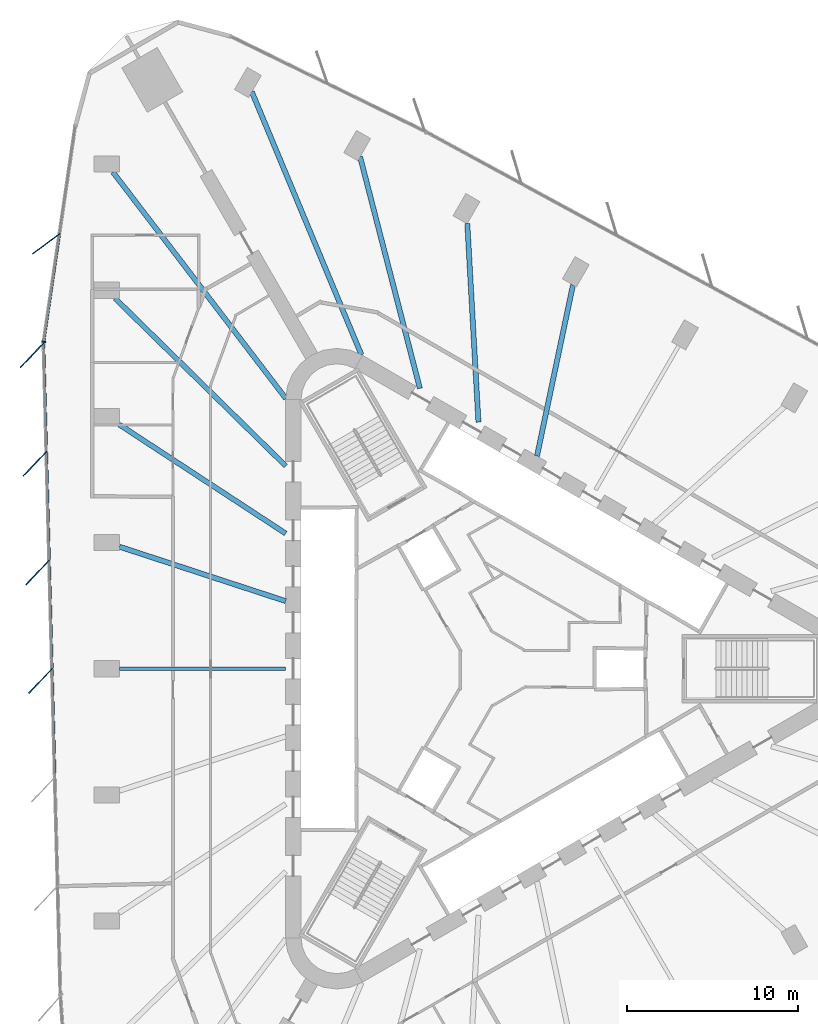
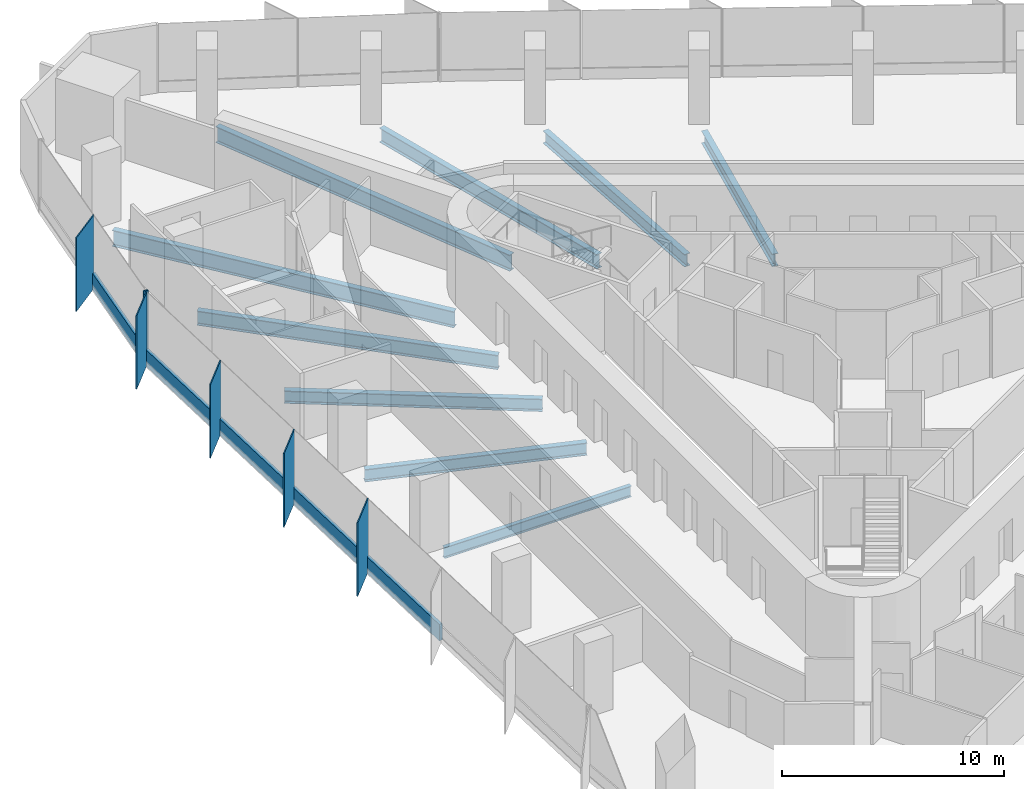
# One storey, part 4 of 14: 11 members, 9 beams, 2 elements without a shape of their own.
"""IFC4 building model written with IfcOpenShell, lengths in metres."""

from ifc_helpers import new_model, si_unit, direction, frame, origin, origin_2d, place, context, subcontext, project, spatial, rectangle, i_section, extrude, material, material_profile, profile_set, type_object, element, aggregate, save


model = new_model("IFC4")

# Units and contexts
model_context = context("Model", 3, precision=1e-05, world=origin(), true_north=direction((0.0, 1.0)))
body_context = subcontext(model_context, "Body", "Model", "MODEL_VIEW")
ifc_project = project(units=[si_unit("LENGTHUNIT", "METRE"), si_unit("AREAUNIT", "SQUARE_METRE"), si_unit("VOLUMEUNIT", "CUBIC_METRE"), si_unit("PLANEANGLEUNIT", "RADIAN"), si_unit("MASSUNIT", "GRAM", prefix="KILO")], contexts=[model_context])

# Site, building, storey
site_placement = place(None, origin())
site = spatial("IfcSite", under=ifc_project, at=site_placement, CompositionType="ELEMENT")
building_placement = place(site_placement, origin())
building = spatial("IfcBuilding", under=site, at=building_placement, Name="Tanit Gate Tower", CompositionType="ELEMENT")
storey_placement = place(building_placement, frame((0.0, 0.0, 152.10009765625)))
storey = spatial("IfcBuildingStorey", under=building, at=storey_placement, Name="L33", CompositionType="ELEMENT", Elevation=152.10009765625)

# Curtain wall, member
ifc_material_1 = material(Name="Aluminium bronze anodised and glass", Category="aluminium")
curtain_wall_type = type_object("IfcCurtainWallType", Name="Curtain wall typical low", PredefinedType="NOTDEFINED", material=ifc_material_1)
curtain_wall_1_placement = place(storey_placement, origin())
curtain_wall_1 = element("IfcCurtainWall", 1, at=curtain_wall_1_placement, inside=storey, type_object=curtain_wall_type, Name="Curtain wall L33 W1", PredefinedType="NOTDEFINED")
ifc_material_2 = material(Name="Aluminium bronze anodised", Category="aluminium")
ifc_material_profile_1 = material_profile(ifc_material_2, rectangle(XDim=2.0, YDim=0.055908203125, at=origin_2d()), Name="56x2000 bronze fin mullion")
ifc_profile_set_1 = profile_set([ifc_material_profile_1], Name="Aluminium bronze anodised")
member_type_1 = type_object("IfcMemberType", Name="FIN MULLION 56x2000 bronze", PredefinedType="MULLION", material=ifc_profile_set_1)
member_1_placement = place(storey_placement, frame((-26.133056640625, 24.8935546875, -0.300048828125), z_axis=(0.0, 0.0, 1.0), x_axis=(0.802295559178, 0.596926993629, 0.0)))
member_1 = element("IfcMember", 2, at=member_1_placement, type_object=member_type_1, Name="Fin mullion L33 W1.2", PredefinedType="MULLION", context=body_context, shape_type="SweptSolid", body=[
    extrude(rectangle(XDim=2.0, YDim=0.055908203125, at=origin_2d()), origin(), (0.0, 0.0, 1.0), 4.050048828125),
])

# Curtain wall, members
curtain_wall_2_placement = place(storey_placement, origin())
curtain_wall_2 = element("IfcCurtainWall", 3, at=curtain_wall_2_placement, inside=storey, type_object=curtain_wall_type, Name="Curtain wall L33 W2", PredefinedType="NOTDEFINED")
member_2_placement = place(storey_placement, frame((-26.954833984375, 18.363525390625, -0.300048828125), z_axis=(0.0, 0.0, 1.0), x_axis=(0.688538110764, 0.725200158595, 0.0)))
member_2 = element("IfcMember", 4, at=member_2_placement, type_object=member_type_1, Name="Fin mullion L33 W2.1", PredefinedType="MULLION", context=body_context, shape_type="SweptSolid", body=[
    extrude(rectangle(XDim=2.0, YDim=0.055908203125, at=origin_2d()), origin(), (0.0, 0.0, 1.0), 4.050048828125),
])
member_3_placement = place(storey_placement, frame((-26.7900390625, 12.005859375, -0.300048828125), z_axis=(0.0, 0.0, 1.0), x_axis=(0.688538110764, 0.725200158595, 0.0)))
member_3 = element("IfcMember", 5, at=member_3_placement, type_object=member_type_1, Name="Fin mullion L33 W2.2", PredefinedType="MULLION", context=body_context, shape_type="SweptSolid", body=[
    extrude(rectangle(XDim=2.0, YDim=0.055908203125, at=origin_2d()), origin(), (0.0, 0.0, 1.0), 4.050048828125),
])
member_4_placement = place(storey_placement, frame((-26.625244140625, 5.648193359375, -0.300048828125), z_axis=(0.0, 0.0, 1.0), x_axis=(0.688538110764, 0.725200158595, 0.0)))
member_4 = element("IfcMember", 6, at=member_4_placement, type_object=member_type_1, Name="Fin mullion L33 W2.3", PredefinedType="MULLION", context=body_context, shape_type="SweptSolid", body=[
    extrude(rectangle(XDim=2.0, YDim=0.055908203125, at=origin_2d()), origin(), (0.0, 0.0, 1.0), 4.050048828125),
])
member_5_placement = place(storey_placement, frame((-26.46044921875, -0.70947265625, -0.300048828125), z_axis=(0.0, 0.0, 1.0), x_axis=(0.688538110764, 0.725200158595, 0.0)))
member_5 = element("IfcMember", 7, at=member_5_placement, type_object=member_type_1, Name="Fin mullion L33 W2.4", PredefinedType="MULLION", context=body_context, shape_type="SweptSolid", body=[
    extrude(rectangle(XDim=2.0, YDim=0.055908203125, at=origin_2d()), origin(), (0.0, 0.0, 1.0), 4.050048828125),
])

# Member
ifc_material_3 = material(Name="Aluminium bronze anodised", Category="aluminium")
ifc_material_profile_2 = material_profile(ifc_material_3, rectangle(XDim=0.239990234375, YDim=0.080078125, at=origin_2d()), Name="80x240 bronze mullion")
ifc_profile_set_2 = profile_set([ifc_material_profile_2], Name="Aluminium bronze anodised")
member_type_2 = type_object("IfcMemberType", Name="Mullion 80x240 typical low", PredefinedType="MULLION", material=ifc_profile_set_2)
member_6_placement = place(storey_placement, frame((-26.277099609375, 19.15185546875, -0.300048828125), z_axis=(0.0, 0.0, 1.0), x_axis=(0.989399755479, -0.145217505343, 0.0)))
member_6 = element("IfcMember", 8, at=member_6_placement, type_object=member_type_2, Name="Mullion L33 W1.3", PredefinedType="MULLION", context=body_context, shape_type="SweptSolid", body=[
    extrude(rectangle(XDim=0.239990234375, YDim=0.080078125, at=origin_2d()), origin(), (0.0, 0.0, 1.0), 4.050048828125),
])

# Beams
ifc_material_4 = material(Name="Steel S355", Category="steel")
ifc_material_profile_3 = material_profile(ifc_material_4, i_section(OverallWidth=0.300048828125, OverallDepth=0.68994140625, WebThickness=0.014404296875, FlangeThickness=0.027099609375, FilletRadius=0.027099609375, at=origin_2d()), Name="HEA 700")
ifc_profile_set_3 = profile_set([ifc_material_profile_3], Name="Steel S355")
beam_type_1 = type_object("IfcBeamType", Name="RADIAL GIRDER HEA 700 S355", PredefinedType="BEAM", material=ifc_profile_set_3)
beam_1_placement = place(storey_placement, frame((4.7275390625, 22.48046875, -0.64501953125), z_axis=(-0.205786947525, -0.978596818015, 0.0), x_axis=(0.978596818015, -0.205786947525, 0.0)))
element("IfcBeam", 9, at=beam_1_placement, inside=storey, type_object=beam_type_1, Name="RADIAL GIRDER", PredefinedType="BEAM", context=body_context, shape_type="SweptSolid", body=[
    extrude(i_section(OverallWidth=0.300048828125, OverallDepth=0.68994140625, WebThickness=0.014404296875, FlangeThickness=0.027099609375, FilletRadius=0.027099609375, at=origin_2d()), origin(), (0.0, 0.0, 1.0), 10.238525390625),
])
beam_2_placement = place(storey_placement, frame((-1.46240234375, 26.08251953125, -0.64501953125), z_axis=(0.055972182093, -0.998432328619, 0.0), x_axis=(0.998432328619, 0.055972182093, 0.0)))
element("IfcBeam", 10, at=beam_2_placement, inside=storey, type_object=beam_type_1, Name="RADIAL GIRDER", PredefinedType="BEAM", context=body_context, shape_type="SweptSolid", body=[
    extrude(i_section(OverallWidth=0.300048828125, OverallDepth=0.68994140625, WebThickness=0.014404296875, FlangeThickness=0.027099609375, FilletRadius=0.027099609375, at=origin_2d()), origin(), (0.0, 0.0, 1.0), 11.6591796875),
])
beam_3_placement = place(storey_placement, frame((-21.856689453125, 14.307861328125, -0.64501953125), z_axis=(0.836666622901, -0.547712481256, 0.0), x_axis=(0.547712481256, 0.836666622901, 0.0)))
element("IfcBeam", 11, at=beam_3_placement, inside=storey, type_object=beam_type_1, Name="RADIAL GIRDER", PredefinedType="BEAM", context=body_context, shape_type="SweptSolid", body=[
    extrude(i_section(OverallWidth=0.300048828125, OverallDepth=0.68994140625, WebThickness=0.014404296875, FlangeThickness=0.027099609375, FilletRadius=0.027099609375, at=origin_2d()), origin(), (0.0, 0.0, 1.0), 11.658935546875),
])
beam_4_placement = place(storey_placement, frame((-21.83251953125, 7.14599609375, -0.64501953125), z_axis=(0.950388541719, -0.311065298242, 0.0), x_axis=(0.311065298242, 0.950388541719, 0.0)))
element("IfcBeam", 12, at=beam_4_placement, inside=storey, type_object=beam_type_1, Name="RADIAL GIRDER", PredefinedType="BEAM", context=body_context, shape_type="SweptSolid", body=[
    extrude(i_section(OverallWidth=0.300048828125, OverallDepth=0.68994140625, WebThickness=0.014404296875, FlangeThickness=0.027099609375, FilletRadius=0.027099609375, at=origin_2d()), origin(), (0.0, 0.0, 1.0), 10.238525390625),
])
ifc_material_5 = material(Name="Steel S355", Category="steel")
ifc_material_profile_4 = material_profile(ifc_material_5, i_section(OverallWidth=0.300048828125, OverallDepth=0.7900390625, WebThickness=0.014892578125, FlangeThickness=0.028076171875, FilletRadius=0.030029296875, at=origin_2d()), Name="HEA 800")
ifc_profile_set_4 = profile_set([ifc_material_profile_4], Name="Steel S355")
beam_type_2 = type_object("IfcBeamType", Name="RADIAL GIRDER HEA 800 S355", PredefinedType="BEAM", material=ifc_profile_set_4)
for number, where, z_axis, x_axis, name in (
    (13, (-7.742919921875, 29.98779296875, -0.695068359375), (0.250007137307, -0.968243993679, 0.0), (0.968243993679, 0.250007137307, 0.0), "RADIAL GIRDER"),
    (14, (-22.0986328125, 21.69921875, -0.695068359375), (0.713525004951, -0.70062976479, 0.0), (0.70062976479, 0.713525004951, 0.0), "RADIAL GIRDER"),
):
    element("IfcBeam", number, at=place(storey_placement, frame(where, z_axis=z_axis, x_axis=x_axis)), inside=storey, type_object=beam_type_2, Name=name, PredefinedType="BEAM", context=body_context, shape_type="SweptSolid", body=[
        extrude(i_section(OverallWidth=0.300048828125, OverallDepth=0.7900390625, WebThickness=0.014892578125, FlangeThickness=0.028076171875, FilletRadius=0.030029296875, at=origin_2d()), origin(), (0.0, 0.0, 1.0), 14.01025390625),
    ])
ifc_material_6 = material(Name="Steel S355", Category="steel")
ifc_material_profile_5 = material_profile(ifc_material_6, i_section(OverallWidth=0.300048828125, OverallDepth=0.889892578125, WebThickness=0.01611328125, FlangeThickness=0.030029296875, FilletRadius=0.030029296875, at=origin_2d()), Name="HEA 900")
ifc_profile_set_5 = profile_set([ifc_material_profile_5], Name="Steel S355")
beam_type_3 = type_object("IfcBeamType", Name="RADIAL GIRDER HEA 900 S355", PredefinedType="BEAM", material=ifc_profile_set_5)
for number, where, z_axis, x_axis, name in (
    (15, (-14.08349609375, 33.7880859375, -0.7451171875), (0.384731757577, -0.923028425733, 0.0), (0.923028425733, 0.384731757577, 0.0), "RADIAL GIRDER"),
    (16, (-22.219482421875, 29.0908203125, -0.7451171875), (0.606989396765, -0.794709929606, 0.0), (0.794709929606, 0.606989396765, 0.0), "RADIAL GIRDER"),
):
    element("IfcBeam", number, at=place(storey_placement, frame(where, z_axis=z_axis, x_axis=x_axis)), inside=storey, type_object=beam_type_3, Name=name, PredefinedType="BEAM", context=body_context, shape_type="SweptSolid", body=[
        extrude(i_section(OverallWidth=0.300048828125, OverallDepth=0.889892578125, WebThickness=0.01611328125, FlangeThickness=0.030029296875, FilletRadius=0.030029296875, at=origin_2d()), origin(), (0.0, 0.0, 1.0), 16.68359375),
    ])
ifc_material_7 = material(Name="Steel S355", Category="steel")
ifc_material_profile_6 = material_profile(ifc_material_7, i_section(OverallWidth=0.219970703125, OverallDepth=0.60009765625, WebThickness=0.011962890625, FlangeThickness=0.01904296875, FilletRadius=0.02392578125, at=origin_2d()), Name="IPE 600")
ifc_profile_set_6 = profile_set([ifc_material_profile_6], Name="Steel S355")
beam_type_4 = type_object("IfcBeamType", Name="RADIAL GIRDER IPE 600 S355", PredefinedType="BEAM", material=ifc_profile_set_6)
beam_5_placement = place(storey_placement, frame((-21.83251953125, 0.0, -0.60009765625), z_axis=(1.0, 0.0, 0.0), x_axis=(0.0, 1.0, 0.0)))
element("IfcBeam", 17, at=beam_5_placement, inside=storey, type_object=beam_type_4, Name="RADIAL GIRDER", PredefinedType="BEAM", context=body_context, shape_type="SweptSolid", body=[
    extrude(i_section(OverallWidth=0.219970703125, OverallDepth=0.60009765625, WebThickness=0.011962890625, FlangeThickness=0.01904296875, FilletRadius=0.02392578125, at=origin_2d()), origin(), (0.0, 0.0, 1.0), 9.73046875),
])

# Member
ifc_material_8 = material(Name="Aluminium bronze anodised", Category="aluminium")
ifc_material_profile_7 = material_profile(ifc_material_8, rectangle(XDim=0.159912109375, YDim=0.89990234375, at=origin_2d()), Name="160x900 bronze transom")
ifc_profile_set_7 = profile_set([ifc_material_profile_7], Name="Aluminium bronze anodised")
member_type_3 = type_object("IfcMemberType", Name="Transom 160x900 typical low", PredefinedType="USERDEFINED", material=ifc_profile_set_7)
member_7_placement = place(storey_placement, frame((-25.354736328125, 25.437255859375, 0.14990234375), z_axis=(-0.145221203289, -0.989399212712, 0.0), x_axis=(0.989399212712, -0.145221203289, 0.0)))
member_7 = element("IfcMember", 18, at=member_7_placement, type_object=member_type_3, Name="Transom L33 W1.2", ObjectType="TRANSOM", PredefinedType="USERDEFINED", context=body_context, shape_type="SweptSolid", body=[
    extrude(rectangle(XDim=0.159912109375, YDim=0.89990234375, at=origin_2d()), origin(), (0.0, 0.0, 1.0), 6.312744140625),
])

aggregate(curtain_wall_1, [member_1, member_6, member_7])

member_8_placement = place(storey_placement, frame((-26.281005859375, 19.0322265625, 0.14990234375), z_axis=(0.025931462812, -0.999663723077, 0.0), x_axis=(0.999663723077, 0.025931462812, 0.0)))
member_8 = element("IfcMember", 19, at=member_8_placement, type_object=member_type_3, Name="Transom L33 W2.1", ObjectType="TRANSOM", PredefinedType="USERDEFINED", context=body_context, shape_type="SweptSolid", body=[
    extrude(rectangle(XDim=0.159912109375, YDim=0.89990234375, at=origin_2d()), origin(), (0.0, 0.0, 1.0), 6.27978515625),
])

member_9_placement = place(storey_placement, frame((-26.115966796875, 12.674560546875, 0.14990234375), z_axis=(0.025892611141, -0.999664730141, 0.0), x_axis=(0.999664730141, 0.025892611141, 0.0)))
member_9 = element("IfcMember", 20, at=member_9_placement, type_object=member_type_3, Name="Transom L33 W2.2", ObjectType="TRANSOM", PredefinedType="USERDEFINED", context=body_context, shape_type="SweptSolid", body=[
    extrude(rectangle(XDim=0.159912109375, YDim=0.89990234375, at=origin_2d()), origin(), (0.0, 0.0, 1.0), 6.27978515625),
])

member_10_placement = place(storey_placement, frame((-25.951171875, 6.31689453125, 0.14990234375), z_axis=(0.025930455033, -0.999663749219, 0.0), x_axis=(0.999663749219, 0.025930455033, 0.0)))
member_10 = element("IfcMember", 21, at=member_10_placement, type_object=member_type_3, Name="Transom L33 W2.3", ObjectType="TRANSOM", PredefinedType="USERDEFINED", context=body_context, shape_type="SweptSolid", body=[
    extrude(rectangle(XDim=0.159912109375, YDim=0.89990234375, at=origin_2d()), origin(), (0.0, 0.0, 1.0), 6.280029296875),
])

member_11_placement = place(storey_placement, frame((-25.786376953125, -0.040771484375, 0.14990234375), z_axis=(0.025930455033, -0.999663749219, 0.0), x_axis=(0.999663749219, 0.025930455033, 0.0)))
member_11 = element("IfcMember", 22, at=member_11_placement, type_object=member_type_3, Name="Transom L33 W2.4", ObjectType="TRANSOM", PredefinedType="USERDEFINED", context=body_context, shape_type="SweptSolid", body=[
    extrude(rectangle(XDim=0.159912109375, YDim=0.89990234375, at=origin_2d()), origin(), (0.0, 0.0, 1.0), 6.280029296875),
])

aggregate(curtain_wall_2, [member_2, member_3, member_4, member_5, member_8, member_9, member_10, member_11])

save(model, "model.ifc")
